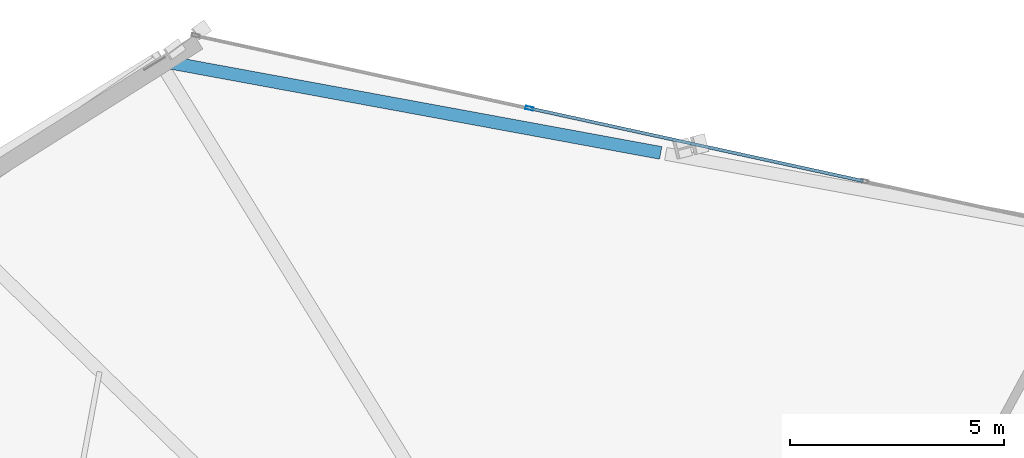
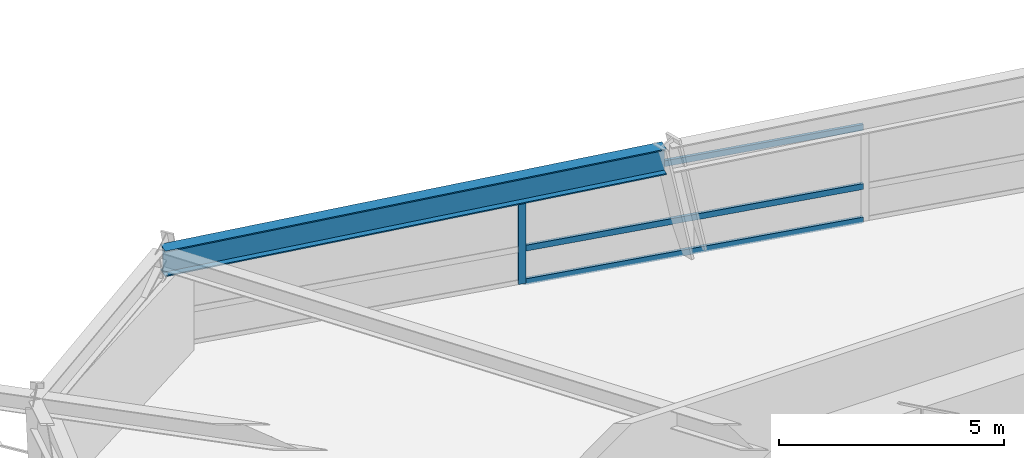
# One storey, part 10 of 21: 4 members, 1 beam, 1 element without a shape of its own.
"""IFC4 building model written with IfcOpenShell, lengths in metres."""

from ifc_helpers import new_model, si_unit, direction, frame, origin, origin_2d, place, context, subcontext, project, spatial, hollow_rectangle, i_section, extrude, source, transform, mapped, material, material_profile, profile_set, type_object, element, aggregate, save


model = new_model("IFC4")

# Units and contexts
model_context = context("Model", 3, precision=1e-05, world=origin(), true_north=direction((0.0, 1.0)))
body_context = subcontext(model_context, "Body", "Model", "MODEL_VIEW")
ifc_project = project(units=[si_unit("LENGTHUNIT", "METRE"), si_unit("AREAUNIT", "SQUARE_METRE"), si_unit("VOLUMEUNIT", "CUBIC_METRE"), si_unit("PLANEANGLEUNIT", "RADIAN"), si_unit("MASSUNIT", "GRAM", prefix="KILO")], contexts=[model_context])

# Site, building, storey
site_placement = place(None, origin())
site = spatial("IfcSite", under=ifc_project, at=site_placement, CompositionType="ELEMENT")
building_placement = place(site_placement, origin())
building = spatial("IfcBuilding", under=site, at=building_placement, Name="Olszyna Solenne Hotel", CompositionType="ELEMENT")
storey_placement = place(building_placement, frame((0.0, 0.0, 39.949951171875)))
storey = spatial("IfcBuildingStorey", under=building, at=storey_placement, Name="L09", CompositionType="ELEMENT", Elevation=39.949951171875)

# Beam
ifc_material_1 = material(Name="Steel S355J2", Category="steel")
ifc_material_profile_1 = material_profile(ifc_material_1, i_section(OverallWidth=0.300048828125, OverallDepth=0.699951171875, WebThickness=0.01708984375, FlangeThickness=0.031982421875, at=origin_2d()), Name="HEB 700", Category="load-bearing")
ifc_profile_set_1 = profile_set([ifc_material_profile_1], Name="Steel S355J2")
beam_type = type_object("IfcBeamType", Name="BM-S1", PredefinedType="BEAM", material=ifc_profile_set_1)
shared_shape_1 = source(origin(), body_context, "Body", "SweptSolid", [
    extrude(i_section(OverallWidth=0.300048828125, OverallDepth=0.699951171875, WebThickness=0.01708984375, FlangeThickness=0.031982421875, at=origin_2d()), origin(), (0.0, 0.0, 1.0), 11.84619140625),
])
beam_placement = place(storey_placement, frame((36.824462890625, 45.387451171875, 2.949951171875), z_axis=(-0.983492492719, 0.180948934139, 0.0), x_axis=(-0.180948934139, -0.983492492719, 0.0)))
element("IfcBeam", 1, at=beam_placement, inside=storey, type_object=beam_type, Name="Perimeter spandrel beam BM-S1 B-L09-0292", PredefinedType="BEAM", context=body_context, shape_type="MappedRepresentation", body=[
    mapped(shared_shape_1, transform((0.0, 0.0, 0.0), x_axis=(1.0, 0.0, 0.0), y_axis=(0.0, 1.0, 0.0), z_axis=(0.0, 0.0, 1.0), scale=1.0)),
])

# Curtain wall, members
ifc_material_2 = material(Name="Anodised bronze aluminium", Category="aluminium")
curtain_wall_type = type_object("IfcCurtainWallType", Name="CW-SYS-2", PredefinedType="NOTDEFINED", material=ifc_material_2)
curtain_wall_placement = place(storey_placement, origin())
curtain_wall = element("IfcCurtainWall", 2, at=curtain_wall_placement, inside=storey, type_object=curtain_wall_type, Name="Unitised curtain wall CW-SYS-2 CW-L09-02", PredefinedType="NOTDEFINED")
ifc_material_profile_2 = material_profile(ifc_material_2, hollow_rectangle(XDim=0.074951171875, YDim=0.179931640625, WallThickness=0.00439453125, at=origin_2d()), Name="MULL 180x75x4.5", Category="load-bearing")
ifc_profile_set_2 = profile_set([ifc_material_profile_2], Name="Anodised bronze aluminium")
member_type_1 = type_object("IfcMemberType", Name="CW-M2", PredefinedType="MULLION", material=ifc_profile_set_2)
shared_shape_2 = source(origin(), body_context, "Body", "SweptSolid", [
    extrude(hollow_rectangle(XDim=0.074951171875, YDim=0.179931640625, WallThickness=0.00439453125, at=origin_2d()), origin(), (0.0, 0.0, 1.0), 2.592041015625),
])
member_1_placement = place(storey_placement, frame((33.758544921875, 46.42919921875, 0.0), z_axis=(0.0, 0.0, 1.0), x_axis=(0.213104027523, 0.977029515139, 0.0)))
member_1 = element("IfcMember", 3, at=member_1_placement, type_object=member_type_1, Name="Curtain-wall mullion CW-M2 CM-L09-02-02", PredefinedType="MULLION", context=body_context, shape_type="MappedRepresentation", body=[
    mapped(shared_shape_2, transform((0.0, 0.0, 0.0), x_axis=(1.0, 0.0, 0.0), y_axis=(0.0, 1.0, 0.0), z_axis=(0.0, 0.0, 1.0), scale=1.0)),
])
ifc_material_profile_3 = material_profile(ifc_material_2, hollow_rectangle(XDim=0.074951171875, YDim=0.159912109375, WallThickness=0.00390625, at=origin_2d()), Name="TRAN 160x75x4", Category="load-bearing")
ifc_profile_set_3 = profile_set([ifc_material_profile_3], Name="Anodised bronze aluminium")
member_type_2 = type_object("IfcMemberType", Name="CW-T1", PredefinedType="USERDEFINED", material=ifc_profile_set_3)
shared_shape_3 = source(origin(), body_context, "Body", "SweptSolid", [
    extrude(hollow_rectangle(XDim=0.074951171875, YDim=0.159912109375, WallThickness=0.00390625, at=origin_2d()), origin(), (0.0, 0.0, 1.0), 7.935791015625),
])
member_2_placement = place(storey_placement, frame((33.795166015625, 46.42138671875, 0.03759765625), z_axis=(0.977028690733, -0.213107807189, 0.0), x_axis=(0.213107807189, 0.977028690733, 0.0)))
member_2 = element("IfcMember", 4, at=member_2_placement, type_object=member_type_2, Name="Curtain-wall transom CW-T1 CT-L09-02-04", ObjectType="TRANSOM", PredefinedType="USERDEFINED", context=body_context, shape_type="MappedRepresentation", body=[
    mapped(shared_shape_3, transform((0.0, 0.0, 0.0), x_axis=(1.0, 0.0, 0.0), y_axis=(0.0, 1.0, 0.0), z_axis=(0.0, 0.0, 1.0), scale=1.0)),
])
member_3_placement = place(storey_placement, frame((33.795166015625, 46.42138671875, 0.949951171875), z_axis=(0.977028690733, -0.213107807189, 0.0), x_axis=(0.213107807189, 0.977028690733, 0.0)))
member_3 = element("IfcMember", 5, at=member_3_placement, type_object=member_type_2, Name="Curtain-wall transom CW-T1 CT-L09-02-05", ObjectType="TRANSOM", PredefinedType="USERDEFINED", context=body_context, shape_type="MappedRepresentation", body=[
    mapped(shared_shape_3, transform((0.0, 0.0, 0.0), x_axis=(1.0, 0.0, 0.0), y_axis=(0.0, 1.0, 0.0), z_axis=(0.0, 0.0, 1.0), scale=1.0)),
])
member_4_placement = place(storey_placement, frame((33.795166015625, 46.42138671875, 2.554443359375), z_axis=(0.977028690733, -0.213107807189, 0.0), x_axis=(0.213107807189, 0.977028690733, 0.0)))
member_4 = element("IfcMember", 6, at=member_4_placement, type_object=member_type_2, Name="Curtain-wall transom CW-T1 CT-L09-02-06", ObjectType="TRANSOM", PredefinedType="USERDEFINED", context=body_context, shape_type="MappedRepresentation", body=[
    mapped(shared_shape_3, transform((0.0, 0.0, 0.0), x_axis=(1.0, 0.0, 0.0), y_axis=(0.0, 1.0, 0.0), z_axis=(0.0, 0.0, 1.0), scale=1.0)),
])
aggregate(curtain_wall, [member_1, member_2, member_3, member_4])

save(model, "model.ifc")
